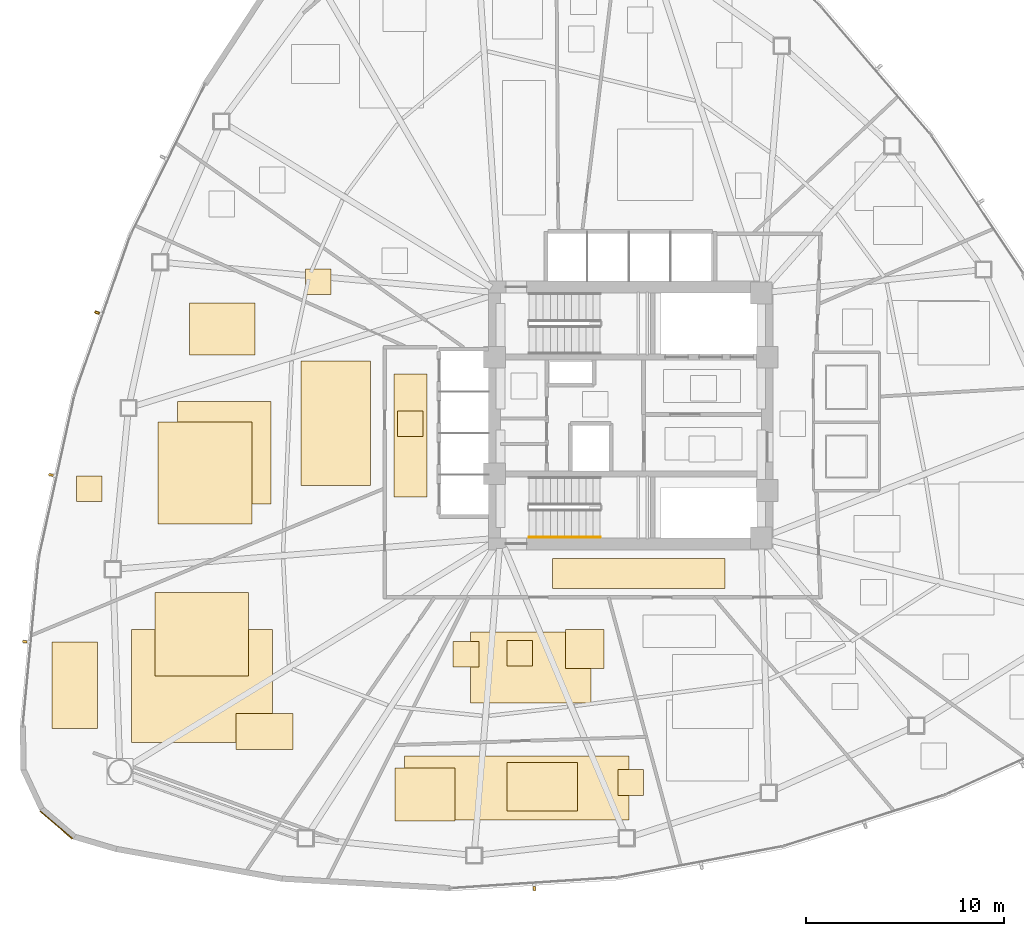
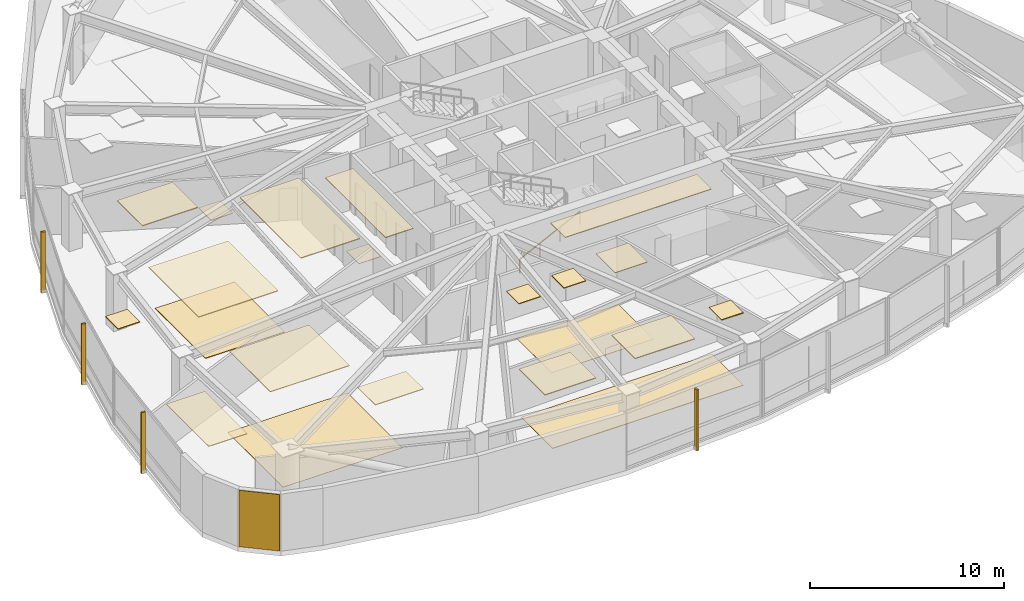
# One storey, part 15 of 18: 22 coverings, 4 shading devices, 1 railing.
"""IFC4 building model written with IfcOpenShell, lengths in metres."""

from ifc_helpers import new_model, si_unit, direction, frame, origin, origin_2d, place, context, subcontext, project, spatial, polyline, rectangle, outline, extrude, source, transform, mapped, material, layer, layer_set, type_object, type_shapes, element, save


model = new_model("IFC4")

# Units and contexts
model_context = context("Model", 3, precision=1e-05, world=origin(), true_north=direction((0.0, 1.0)))
body_context = subcontext(model_context, "Body", "Model", "MODEL_VIEW")
ifc_project = project(units=[si_unit("LENGTHUNIT", "METRE"), si_unit("AREAUNIT", "SQUARE_METRE"), si_unit("VOLUMEUNIT", "CUBIC_METRE"), si_unit("PLANEANGLEUNIT", "RADIAN"), si_unit("MASSUNIT", "GRAM", prefix="KILO")], contexts=[model_context])

# Site, building, storey
site_placement = place(None, origin())
site = spatial("IfcSite", under=ifc_project, at=site_placement, CompositionType="ELEMENT")
building_placement = place(site_placement, origin())
building = spatial("IfcBuilding", under=site, at=building_placement, Name="Tavelor Broadcast Tower", CompositionType="ELEMENT")
storey_placement = place(building_placement, frame((0.0, 0.0, 54.89990234375)))
storey = spatial("IfcBuildingStorey", under=building, at=storey_placement, Name="L12", CompositionType="ELEMENT", Elevation=54.89990234375)

# Coverings
ifc_material_1 = material(Name="Copper-Bronze Anodized Aluminium", Category="aluminium")
ifc_layer_1 = layer(ifc_material_1, 0.044921875)
ifc_layer_set_1 = layer_set([ifc_layer_1], Name="Copper-Bronze Anodized Aluminium")
covering_type_1 = type_object("IfcCoveringType", Name="Anodised Bronze Linear Slatted Concourse Ceiling 45 mm", PredefinedType="CEILING", material=ifc_layer_set_1)
covering_1_placement = place(storey_placement, frame((0.0, 0.0, 3.55517578125)))
element("IfcCovering", 1, at=covering_1_placement, inside=storey, type_object=covering_type_1, Name="L12 Suspended Acoustic Ceiling 0445", PredefinedType="CEILING", context=body_context, shape_type="SweptSolid", body=[
    extrude(outline(polyline([(46.05078125, 36.23828125), (54.776611328125, 36.23828125), (54.776611328125, 37.76171875), (46.05078125, 37.76171875), (46.05078125, 36.23828125)])), origin(), (0.0, 0.0, 1.0), 0.044921875),
])
covering_2_placement = place(storey_placement, frame((0.0, 0.0, 3.55517578125)))
element("IfcCovering", 2, at=covering_2_placement, inside=storey, type_object=covering_type_1, Name="L12 Suspended Acoustic Ceiling 0446", PredefinedType="CEILING", context=body_context, shape_type="SweptSolid", body=[
    extrude(outline(polyline([(38.01611328125, 40.868896484375), (39.683837890625, 40.868896484375), (39.683837890625, 47.096923828125), (38.01611328125, 47.096923828125), (38.01611328125, 40.868896484375)])), origin(), (0.0, 0.0, 1.0), 0.044921875),
])
ifc_layer_2 = layer(ifc_material_1, 0.050048828125)
ifc_layer_set_2 = layer_set([ifc_layer_2], Name="Copper-Bronze Anodized Aluminium")
covering_type_2 = type_object("IfcCoveringType", Name="Champagne-Bronze Corner Pier Metal Cladding 50 mm", PredefinedType="CLADDING", material=ifc_layer_set_2)
covering_3_placement = place(storey_placement, frame((20.9326171875, 24.29345703125, 0.02001953125), z_axis=(0.0, 0.0, 1.0), x_axis=(0.758703110659, -0.651436558597, 0.0)))
element("IfcCovering", 3, at=covering_3_placement, inside=storey, type_object=covering_type_2, Name="L12 Champagne-Bronze Corner Cladding 13", PredefinedType="CLADDING", context=body_context, shape_type="SweptSolid", body=[
    extrude(rectangle(XDim=2.141845703125, YDim=0.050048828125, at=origin_2d()), origin(), (0.0, 0.0, 1.0), 3.56005859375),
])

# Railing
ifc_material_2 = material(Name="Steel S355", Category="steel")
railing_type = type_object("IfcRailingType", Name="Continuous Brushed Stainless Handrail 900 mm", PredefinedType="HANDRAIL", material=ifc_material_2)
railing_placement = place(storey_placement, frame((44.85009765625, 38.85009765625, 0.177490234375)))
element("IfcRailing", 4, at=railing_placement, inside=storey, type_object=railing_type, Name="L12 ST2 stair handrail 1", PredefinedType="HANDRAIL", context=body_context, shape_type="SweptSolid", body=[
    extrude(rectangle(XDim=0.048095703125, YDim=0.048095703125, at=origin_2d()), frame((0.0, 0.0, 0.8759765625), z_axis=(0.897124305991, 0.0, 0.441778201817), x_axis=(0.0, 1.0, 0.0)), (0.0, 0.0, 1.0), 4.0126953125),
    extrude(rectangle(XDim=0.0419921875, YDim=0.0419921875, at=origin_2d()), origin(), (0.0, 0.0, 1.0), 0.851806640625),
    extrude(rectangle(XDim=0.0419921875, YDim=0.0419921875, at=origin_2d()), frame((1.199951171875, 0.0, 0.5908203125)), (0.0, 0.0, 1.0), 0.851806640625),
    extrude(rectangle(XDim=0.0419921875, YDim=0.0419921875, at=origin_2d()), frame((2.39990234375, 0.0, 1.181884765625)), (0.0, 0.0, 1.0), 0.851806640625),
    extrude(rectangle(XDim=0.0419921875, YDim=0.0419921875, at=origin_2d()), frame((3.599853515625, 0.0, 1.772705078125)), (0.0, 0.0, 1.0), 0.851806640625),
])

# Coverings
ifc_material_3 = material(Name="Acoustic Nylon Carpet Tile")
ifc_layer_3 = layer(ifc_material_3, 0.02001953125)
ifc_layer_set_3 = layer_set([ifc_layer_3], Name="Acoustic Nylon Carpet Tile")
covering_type_3 = type_object("IfcCoveringType", Name="Heavy-Duty Acoustic Broadcast Carpet Tile 20 mm", PredefinedType="FLOORING", material=ifc_layer_set_3)
covering_4_placement = place(storey_placement, origin())
element("IfcCovering", 5, at=covering_4_placement, inside=storey, type_object=covering_type_3, Name="L12 Broadcast Floor Finish 0160", PredefinedType="FLOORING", context=body_context, shape_type="SweptSolid", body=[
    extrude(outline(polyline([(24.75048828125, 28.469482421875), (31.877197265625, 28.469482421875), (31.877197265625, 34.177001953125), (24.75048828125, 34.177001953125), (24.75048828125, 28.469482421875)])), origin(), (0.0, 0.0, 1.0), 0.02001953125),
])
covering_5_placement = place(storey_placement, origin())
element("IfcCovering", 6, at=covering_5_placement, inside=storey, type_object=covering_type_3, Name="L12 Broadcast Floor Finish 0171", PredefinedType="FLOORING", context=body_context, shape_type="SweptSolid", body=[
    extrude(outline(polyline([(41.89990234375, 30.4599609375), (47.980712890625, 30.4599609375), (47.980712890625, 34.05908203125), (41.89990234375, 34.05908203125), (41.89990234375, 30.4599609375)])), origin(), (0.0, 0.0, 1.0), 0.02001953125),
])
ifc_material_4 = material(Name="Honed Natural Limestone Tile", Category="masonry")
ifc_layer_4 = layer(ifc_material_4, 0.030029296875)
ifc_layer_set_4 = layer_set([ifc_layer_4], Name="Honed Natural Limestone Tile")
covering_type_4 = type_object("IfcCoveringType", Name="Honed Jerusalem Limestone Concourse Flooring 30 mm", PredefinedType="FLOORING", material=ifc_layer_set_4)
covering_6_placement = place(storey_placement, origin())
element("IfcCovering", 7, at=covering_6_placement, inside=storey, type_object=covering_type_4, Name="L12 Broadcast Floor Finish 0156", PredefinedType="FLOORING", context=body_context, shape_type="SweptSolid", body=[
    extrude(outline(polyline([(38.199951171875, 43.925048828125), (39.5, 43.925048828125), (39.5, 45.22509765625), (38.199951171875, 45.22509765625), (38.199951171875, 43.925048828125)])), origin(), (0.0, 0.0, 1.0), 0.030029296875),
])
ifc_material_5 = material(Name="Acoustic Hardwood Studio Flooring", Category="wood")
ifc_layer_5 = layer(ifc_material_5, 0.034912109375)
ifc_layer_set_5 = layer_set([ifc_layer_5], Name="Acoustic Hardwood Studio Flooring")
covering_type_5 = type_object("IfcCoveringType", Name="Isolated Studio Acoustic Elastomeric Floor Finish 35 mm", PredefinedType="FLOORING", material=ifc_layer_set_5)
covering_7_placement = place(storey_placement, origin())
element("IfcCovering", 8, at=covering_7_placement, inside=storey, type_object=covering_type_5, Name="L12 Broadcast Floor Finish 0159", PredefinedType="FLOORING", context=body_context, shape_type="SweptSolid", body=[
    extrude(outline(polyline([(38.551513671875, 24.53076171875), (49.918212890625, 24.53076171875), (49.918212890625, 27.78466796875), (38.551513671875, 27.78466796875), (38.551513671875, 24.53076171875)])), origin(), (0.0, 0.0, 1.0), 0.03515625),
])
covering_8_placement = place(storey_placement, origin())
element("IfcCovering", 9, at=covering_8_placement, inside=storey, type_object=covering_type_5, Name="L12 Broadcast Floor Finish 0161", PredefinedType="FLOORING", context=body_context, shape_type="SweptSolid", body=[
    extrude(outline(polyline([(27.08251953125, 40.51708984375), (31.81103515625, 40.51708984375), (31.81103515625, 45.704345703125), (27.08251953125, 45.704345703125), (27.08251953125, 40.51708984375)])), origin(), (0.0, 0.0, 1.0), 0.03515625),
])
covering_9_placement = place(storey_placement, origin())
element("IfcCovering", 10, at=covering_9_placement, inside=storey, type_object=covering_type_5, Name="L12 Broadcast Floor Finish 0162", PredefinedType="FLOORING", context=body_context, shape_type="SweptSolid", body=[
    extrude(outline(polyline([(33.537109375, 51.114990234375), (34.8369140625, 51.114990234375), (34.8369140625, 52.4150390625), (33.537109375, 52.4150390625), (33.537109375, 51.114990234375)])), origin(), (0.0, 0.0, 1.0), 0.03515625),
])
ifc_material_6 = material(Name="Acoustic Perforated Timber Baffle", Category="wood")
ifc_layer_6 = layer(ifc_material_6, 0.054931640625)
ifc_layer_set_6 = layer_set([ifc_layer_6], Name="Acoustic Perforated Timber Baffle")
covering_type_6 = type_object("IfcCoveringType", Name="Micro-Perforated Acoustic Baffle Studio Ceiling 55 mm", PredefinedType="CEILING", material=ifc_layer_set_6)
covering_10_placement = place(storey_placement, frame((0.0, 0.0, 3.545166015625)))
element("IfcCovering", 11, at=covering_10_placement, inside=storey, type_object=covering_type_6, Name="L12 Suspended Acoustic Ceiling 0449", PredefinedType="CEILING", context=body_context, shape_type="SweptSolid", body=[
    extrude(outline(polyline([(38.072021484375, 24.498291015625), (41.118896484375, 24.498291015625), (41.118896484375, 27.17626953125), (38.072021484375, 27.17626953125), (38.072021484375, 24.498291015625)])), origin(), (0.0, 0.0, 1.0), 0.054931640625),
])
covering_11_placement = place(storey_placement, frame((0.0, 0.0, 3.545166015625)))
element("IfcCovering", 12, at=covering_11_placement, inside=storey, type_object=covering_type_6, Name="L12 Suspended Acoustic Ceiling 0450", PredefinedType="CEILING", context=body_context, shape_type="SweptSolid", body=[
    extrude(outline(polyline([(43.734619140625, 25.002197265625), (47.300537109375, 25.002197265625), (47.300537109375, 27.441162109375), (43.734619140625, 27.441162109375), (43.734619140625, 25.002197265625)])), origin(), (0.0, 0.0, 1.0), 0.054931640625),
])
covering_12_placement = place(storey_placement, frame((0.0, 0.0, 3.545166015625)))
element("IfcCovering", 13, at=covering_12_placement, inside=storey, type_object=covering_type_6, Name="L12 Suspended Acoustic Ceiling 0451", PredefinedType="CEILING", context=body_context, shape_type="SweptSolid", body=[
    extrude(outline(polyline([(49.34375, 25.781494140625), (50.643798828125, 25.781494140625), (50.643798828125, 27.081298828125), (49.34375, 27.081298828125), (49.34375, 25.781494140625)])), origin(), (0.0, 0.0, 1.0), 0.054931640625),
])
covering_13_placement = place(storey_placement, frame((0.0, 0.0, 3.545166015625)))
element("IfcCovering", 14, at=covering_13_placement, inside=storey, type_object=covering_type_6, Name="L12 Suspended Acoustic Ceiling 0455", PredefinedType="CEILING", context=body_context, shape_type="SweptSolid", body=[
    extrude(outline(polyline([(21.951171875, 40.648681640625), (23.251220703125, 40.648681640625), (23.251220703125, 41.94873046875), (21.951171875, 41.94873046875), (21.951171875, 40.648681640625)])), origin(), (0.0, 0.0, 1.0), 0.054931640625),
])
covering_14_placement = place(storey_placement, frame((0.0, 0.0, 3.545166015625)))
element("IfcCovering", 15, at=covering_14_placement, inside=storey, type_object=covering_type_6, Name="L12 Suspended Acoustic Ceiling 0456", PredefinedType="CEILING", context=body_context, shape_type="SweptSolid", body=[
    extrude(outline(polyline([(27.68701171875, 48.0703125), (30.99267578125, 48.0703125), (30.99267578125, 50.6865234375), (27.68701171875, 50.6865234375), (27.68701171875, 48.0703125)])), origin(), (0.0, 0.0, 1.0), 0.054931640625),
])
covering_15_placement = place(storey_placement, frame((0.0, 0.0, 3.545166015625)))
element("IfcCovering", 16, at=covering_15_placement, inside=storey, type_object=covering_type_6, Name="L12 Suspended Acoustic Ceiling 0457", PredefinedType="CEILING", context=body_context, shape_type="SweptSolid", body=[
    extrude(outline(polyline([(33.31201171875, 41.46337890625), (36.8427734375, 41.46337890625), (36.8427734375, 47.754638671875), (33.31201171875, 47.754638671875), (33.31201171875, 41.46337890625)])), origin(), (0.0, 0.0, 1.0), 0.054931640625),
])
covering_16_placement = place(storey_placement, frame((0.0, 0.0, 3.545166015625)))
element("IfcCovering", 17, at=covering_16_placement, inside=storey, type_object=covering_type_6, Name="L12 Suspended Acoustic Ceiling 0458", PredefinedType="CEILING", context=body_context, shape_type="SweptSolid", body=[
    extrude(outline(polyline([(26.092041015625, 39.504638671875), (30.827392578125, 39.504638671875), (30.827392578125, 44.6689453125), (26.092041015625, 44.6689453125), (26.092041015625, 39.504638671875)])), origin(), (0.0, 0.0, 1.0), 0.054931640625),
])
ifc_material_7 = material(Name="Acoustic Mineral Fibre Tile")
ifc_layer_7 = layer(ifc_material_7, 0.0400390625)
ifc_layer_set_7 = layer_set([ifc_layer_7], Name="Acoustic Mineral Fibre Tile")
covering_type_7 = type_object("IfcCoveringType", Name="Suspended Acoustic Mineral-Fibre Office Ceiling 40 mm", PredefinedType="CEILING", material=ifc_layer_set_7)
covering_17_placement = place(storey_placement, frame((0.0, 0.0, 3.56005859375)))
element("IfcCovering", 18, at=covering_17_placement, inside=storey, type_object=covering_type_7, Name="L12 Suspended Acoustic Ceiling 0452", PredefinedType="CEILING", context=body_context, shape_type="SweptSolid", body=[
    extrude(outline(polyline([(20.72021484375, 29.155517578125), (23.017578125, 29.155517578125), (23.017578125, 33.548095703125), (20.72021484375, 33.548095703125), (20.72021484375, 29.155517578125)])), origin(), (0.0, 0.0, 1.0), 0.0400390625),
])
covering_18_placement = place(storey_placement, frame((0.0, 0.0, 3.56005859375)))
element("IfcCovering", 19, at=covering_18_placement, inside=storey, type_object=covering_type_7, Name="L12 Suspended Acoustic Ceiling 0453", PredefinedType="CEILING", context=body_context, shape_type="SweptSolid", body=[
    extrude(outline(polyline([(25.927490234375, 31.820556640625), (30.66064453125, 31.820556640625), (30.66064453125, 36.034423828125), (25.927490234375, 36.034423828125), (25.927490234375, 31.820556640625)])), origin(), (0.0, 0.0, 1.0), 0.0400390625),
])
covering_19_placement = place(storey_placement, frame((0.0, 0.0, 3.56005859375)))
element("IfcCovering", 20, at=covering_19_placement, inside=storey, type_object=covering_type_7, Name="L12 Suspended Acoustic Ceiling 0454", PredefinedType="CEILING", context=body_context, shape_type="SweptSolid", body=[
    extrude(outline(polyline([(30.031982421875, 28.092529296875), (32.919921875, 28.092529296875), (32.919921875, 29.917724609375), (30.031982421875, 29.917724609375), (30.031982421875, 28.092529296875)])), origin(), (0.0, 0.0, 1.0), 0.0400390625),
])
covering_20_placement = place(storey_placement, frame((0.0, 0.0, 3.56005859375)))
element("IfcCovering", 21, at=covering_20_placement, inside=storey, type_object=covering_type_7, Name="L12 Suspended Acoustic Ceiling 0487", PredefinedType="CEILING", context=body_context, shape_type="SweptSolid", body=[
    extrude(outline(polyline([(41.010498046875, 32.26953125), (42.310546875, 32.26953125), (42.310546875, 33.569580078125), (41.010498046875, 33.569580078125), (41.010498046875, 32.26953125)])), origin(), (0.0, 0.0, 1.0), 0.0400390625),
])
covering_21_placement = place(storey_placement, frame((0.0, 0.0, 3.56005859375)))
element("IfcCovering", 22, at=covering_21_placement, inside=storey, type_object=covering_type_7, Name="L12 Suspended Acoustic Ceiling 0488", PredefinedType="CEILING", context=body_context, shape_type="SweptSolid", body=[
    extrude(outline(polyline([(43.7255859375, 32.3271484375), (45.025634765625, 32.3271484375), (45.025634765625, 33.627197265625), (43.7255859375, 33.627197265625), (43.7255859375, 32.3271484375)])), origin(), (0.0, 0.0, 1.0), 0.0400390625),
])
covering_22_placement = place(storey_placement, frame((0.0, 0.0, 3.56005859375)))
element("IfcCovering", 23, at=covering_22_placement, inside=storey, type_object=covering_type_7, Name="L12 Suspended Acoustic Ceiling 0489", PredefinedType="CEILING", context=body_context, shape_type="SweptSolid", body=[
    extrude(outline(polyline([(46.691650390625, 32.1962890625), (48.6328125, 32.1962890625), (48.6328125, 34.181884765625), (46.691650390625, 34.181884765625), (46.691650390625, 32.1962890625)])), origin(), (0.0, 0.0, 1.0), 0.0400390625),
])

# Shading devices
ifc_material_8 = material(Name="Kiln-Fired Glazed Terracotta", Category="masonry")
shading_device_type = type_object("IfcShadingDeviceType", Name="Extruded Terracotta Baguette Sun-Screen 110x240", PredefinedType="JALOUSIE", material=ifc_material_8)
shared_shape = source(origin(), body_context, "Body", "SweptSolid", [
    extrude(rectangle(XDim=0.110107421875, YDim=0.239990234375, at=origin_2d()), origin(), (0.0, 0.0, 1.0), 3.840087890625),
])
type_shapes(shading_device_type, [shared_shape])
for number, where, z_axis, x_axis, name in (
    (24, (22.999755859375, 50.206298828125, -0.259765625), (0.0, 0.0, 1.0), (-0.330843821252, -0.943685522798, 0.0), "L12 Terracotta Baguette Fin 98"),
    (25, (20.668212890625, 41.99365234375, -0.259765625), (0.0, 0.0, 1.0), (-0.214223913346, -0.976784579603, 0.0), "L12 Terracotta Baguette Fin 99"),
    (26, (19.34765625, 33.55908203125, -0.259765625), (0.0, 0.0, 1.0), (-0.094455824262, -0.995529053952, 0.0), "L12 Terracotta Baguette Fin 100"),
    (27, (45.12158203125, 21.061767578125, -0.259765625), (0.0, 0.0, 1.0), (0.997881692444, 0.065054806779, 0.0), "L12 Terracotta Baguette Fin 101"),
):
    element("IfcShadingDevice", number, at=place(storey_placement, frame(where, z_axis=z_axis, x_axis=x_axis)), inside=storey, type_object=shading_device_type, Name=name, PredefinedType="JALOUSIE", context=body_context, shape_type="MappedRepresentation", body=[
        mapped(shared_shape, transform((0.0, 0.0, 0.0), scale=1.0)),
    ])

save(model, "model.ifc")
